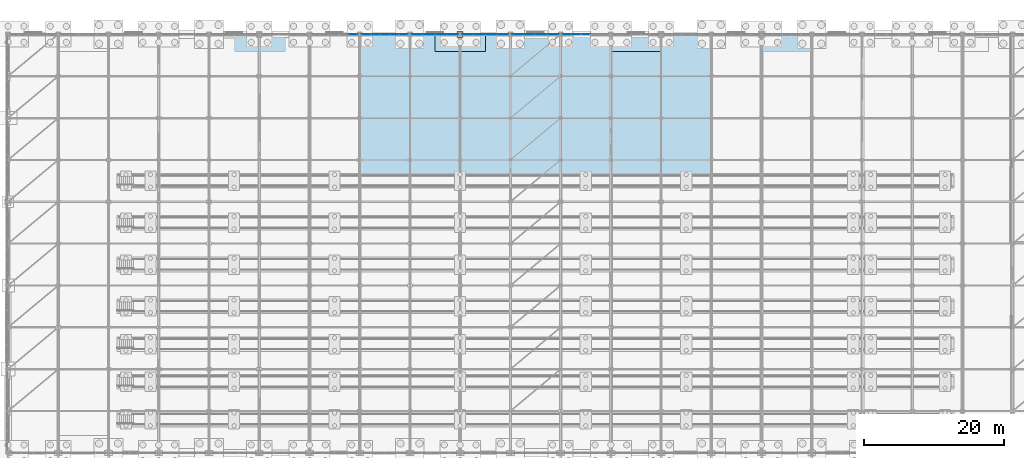
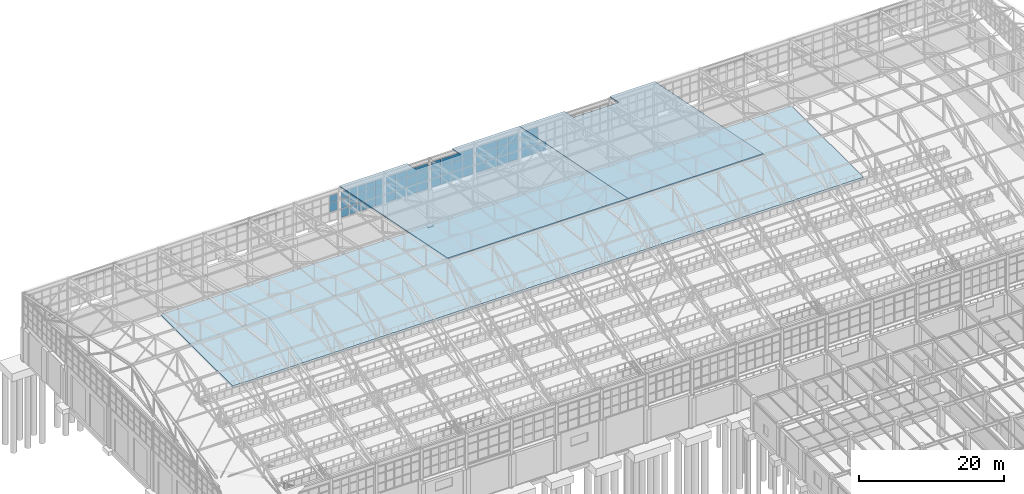
# One storey, part 251 of 293: 61 plates, 3 slabs, 6 elements without a shape of their own.
"""IFC4 building model written with IfcOpenShell, lengths in metres."""

from ifc_helpers import new_model, si_unit, direction, frame, origin, origin_2d, place, context, subcontext, project, spatial, polyline, rectangle, outline, extrude, material, layer, layer_set, type_object, element, aggregate, save


model = new_model("IFC4")

# Units and contexts
model_context = context("Model", 3, precision=1e-05, world=origin(), true_north=direction((0.0, 1.0)))
body_context = subcontext(model_context, "Body", "Model", "MODEL_VIEW")
ifc_project = project(units=[si_unit("LENGTHUNIT", "METRE"), si_unit("AREAUNIT", "SQUARE_METRE"), si_unit("VOLUMEUNIT", "CUBIC_METRE"), si_unit("PLANEANGLEUNIT", "RADIAN"), si_unit("MASSUNIT", "GRAM", prefix="KILO")], contexts=[model_context])

# Site, building, storey
site_placement = place(None, origin())
site = spatial("IfcSite", under=ifc_project, at=site_placement, CompositionType="ELEMENT")
building_placement = place(site_placement, origin())
building = spatial("IfcBuilding", under=site, at=building_placement, Name="Kemerveld Promenade Tramway Depot", CompositionType="ELEMENT")
storey_placement = place(building_placement, origin())
storey = spatial("IfcBuildingStorey", under=building, at=storey_placement, Name="L00", CompositionType="ELEMENT", Elevation=0.0)

# Curtain wall, plates
ifc_material_1 = material(Name="Bronze anodised aluminium and solar glass", Category="aluminium")
ifc_layer_1 = layer(ifc_material_1, 0.159912109375)
ifc_layer_set_1 = layer_set([ifc_layer_1], Name="CW-SYS-09")
curtain_wall_type_1 = type_object("IfcCurtainWallType", Name="CW-SYS-09", PredefinedType="USERDEFINED", material=ifc_layer_set_1)
curtain_wall_1_placement = place(storey_placement, origin())
curtain_wall_1 = element("IfcCurtainWall", 1, at=curtain_wall_1_placement, inside=storey, type_object=curtain_wall_type_1, Name="CW-V1-N-09", ObjectType="GLAZED_CURTAIN_WALL", PredefinedType="USERDEFINED")
ifc_material_2 = material(Name="Solar-control laminated double glazing", Category="glass")
ifc_layer_2 = layer(ifc_material_2, 0.028076171875)
ifc_layer_set_2 = layer_set([ifc_layer_2], Name="CW-PNL-01")
plate_type_1 = type_object("IfcPlateType", Name="CW-PNL-01", PredefinedType="CURTAIN_PANEL", material=ifc_layer_set_2)
plate_1_placement = place(storey_placement, frame((94.68359375, 144.0, 6.259765625), z_axis=(0.0, 0.0, 1.0), x_axis=(1.0, 0.0, 0.0)))
plate_1 = element("IfcPlate", 2, at=plate_1_placement, type_object=plate_type_1, Name="CW09 panel 1.1", PredefinedType="CURTAIN_PANEL", context=body_context, shape_type="SweptSolid", body=[
    extrude(rectangle(XDim=1.5908203125, YDim=0.028076171875, at=origin_2d()), origin(), (0.0, 0.0, 1.0), 1.468017578125),
])
plate_2_placement = place(storey_placement, frame((94.68359375, 144.0, 7.7880859375), z_axis=(0.0, 0.0, 1.0), x_axis=(1.0, 0.0, 0.0)))
plate_2 = element("IfcPlate", 3, at=plate_2_placement, type_object=plate_type_1, Name="CW09 panel 1.2", PredefinedType="CURTAIN_PANEL", context=body_context, shape_type="SweptSolid", body=[
    extrude(rectangle(XDim=1.5908203125, YDim=0.028076171875, at=origin_2d()), origin(), (0.0, 0.0, 1.0), 1.5859375),
])
plate_3_placement = place(storey_placement, frame((94.68359375, 144.0, 9.43408203125), z_axis=(0.0, 0.0, 1.0), x_axis=(1.0, 0.0, 0.0)))
plate_3 = element("IfcPlate", 4, at=plate_3_placement, type_object=plate_type_1, Name="CW09 panel 1.3", PredefinedType="CURTAIN_PANEL", context=body_context, shape_type="SweptSolid", body=[
    extrude(rectangle(XDim=1.5908203125, YDim=0.028076171875, at=origin_2d()), origin(), (0.0, 0.0, 1.0), 1.156005859375),
])
plate_4_placement = place(storey_placement, frame((96.355712890625, 144.0, 6.259765625), z_axis=(0.0, 0.0, 1.0), x_axis=(1.0, 0.0, 0.0)))
plate_4 = element("IfcPlate", 5, at=plate_4_placement, type_object=plate_type_1, Name="CW09 panel 2.1", PredefinedType="CURTAIN_PANEL", context=body_context, shape_type="SweptSolid", body=[
    extrude(rectangle(XDim=1.623291015625, YDim=0.028076171875, at=origin_2d()), origin(), (0.0, 0.0, 1.0), 1.468017578125),
])
plate_5_placement = place(storey_placement, frame((96.355712890625, 144.0, 7.7880859375), z_axis=(0.0, 0.0, 1.0), x_axis=(1.0, 0.0, 0.0)))
plate_5 = element("IfcPlate", 6, at=plate_5_placement, type_object=plate_type_1, Name="CW09 panel 2.2", PredefinedType="CURTAIN_PANEL", context=body_context, shape_type="SweptSolid", body=[
    extrude(rectangle(XDim=1.623291015625, YDim=0.028076171875, at=origin_2d()), origin(), (0.0, 0.0, 1.0), 1.5859375),
])
plate_6_placement = place(storey_placement, frame((96.355712890625, 144.0, 9.43408203125), z_axis=(0.0, 0.0, 1.0), x_axis=(1.0, 0.0, 0.0)))
plate_6 = element("IfcPlate", 7, at=plate_6_placement, type_object=plate_type_1, Name="CW09 panel 2.3", PredefinedType="CURTAIN_PANEL", context=body_context, shape_type="SweptSolid", body=[
    extrude(rectangle(XDim=1.623291015625, YDim=0.028076171875, at=origin_2d()), origin(), (0.0, 0.0, 1.0), 1.156005859375),
])
plate_7_placement = place(storey_placement, frame((98.044189453125, 144.0, 6.259765625), z_axis=(0.0, 0.0, 1.0), x_axis=(1.0, 0.0, 0.0)))
plate_7 = element("IfcPlate", 8, at=plate_7_placement, type_object=plate_type_1, Name="CW09 panel 3.1", PredefinedType="CURTAIN_PANEL", context=body_context, shape_type="SweptSolid", body=[
    extrude(rectangle(XDim=1.623291015625, YDim=0.028076171875, at=origin_2d()), origin(), (0.0, 0.0, 1.0), 1.468017578125),
])
plate_8_placement = place(storey_placement, frame((98.044189453125, 144.0, 7.7880859375), z_axis=(0.0, 0.0, 1.0), x_axis=(1.0, 0.0, 0.0)))
plate_8 = element("IfcPlate", 9, at=plate_8_placement, type_object=plate_type_1, Name="CW09 panel 3.2", PredefinedType="CURTAIN_PANEL", context=body_context, shape_type="SweptSolid", body=[
    extrude(rectangle(XDim=1.623291015625, YDim=0.028076171875, at=origin_2d()), origin(), (0.0, 0.0, 1.0), 1.5859375),
])
plate_9_placement = place(storey_placement, frame((98.044189453125, 144.0, 9.43408203125), z_axis=(0.0, 0.0, 1.0), x_axis=(1.0, 0.0, 0.0)))
plate_9 = element("IfcPlate", 10, at=plate_9_placement, type_object=plate_type_1, Name="CW09 panel 3.3", PredefinedType="CURTAIN_PANEL", context=body_context, shape_type="SweptSolid", body=[
    extrude(rectangle(XDim=1.623291015625, YDim=0.028076171875, at=origin_2d()), origin(), (0.0, 0.0, 1.0), 1.156005859375),
])
plate_10_placement = place(storey_placement, frame((99.71630859375, 144.0, 6.259765625), z_axis=(0.0, 0.0, 1.0), x_axis=(1.0, 0.0, 0.0)))
plate_10 = element("IfcPlate", 11, at=plate_10_placement, type_object=plate_type_1, Name="CW09 panel 4.1", PredefinedType="CURTAIN_PANEL", context=body_context, shape_type="SweptSolid", body=[
    extrude(rectangle(XDim=1.5908203125, YDim=0.028076171875, at=origin_2d()), origin(), (0.0, 0.0, 1.0), 1.468017578125),
])
plate_11_placement = place(storey_placement, frame((99.71630859375, 144.0, 7.7880859375), z_axis=(0.0, 0.0, 1.0), x_axis=(1.0, 0.0, 0.0)))
plate_11 = element("IfcPlate", 12, at=plate_11_placement, type_object=plate_type_1, Name="CW09 panel 4.2", PredefinedType="CURTAIN_PANEL", context=body_context, shape_type="SweptSolid", body=[
    extrude(rectangle(XDim=1.5908203125, YDim=0.028076171875, at=origin_2d()), origin(), (0.0, 0.0, 1.0), 1.5859375),
])
plate_12_placement = place(storey_placement, frame((99.71630859375, 144.0, 9.43408203125), z_axis=(0.0, 0.0, 1.0), x_axis=(1.0, 0.0, 0.0)))
plate_12 = element("IfcPlate", 13, at=plate_12_placement, type_object=plate_type_1, Name="CW09 panel 4.3", PredefinedType="CURTAIN_PANEL", context=body_context, shape_type="SweptSolid", body=[
    extrude(rectangle(XDim=1.5908203125, YDim=0.028076171875, at=origin_2d()), origin(), (0.0, 0.0, 1.0), 1.156005859375),
])
aggregate(curtain_wall_1, [plate_1, plate_2, plate_3, plate_4, plate_5, plate_6, plate_7, plate_8, plate_9, plate_10, plate_11, plate_12])

ifc_layer_3 = layer(ifc_material_1, 0.199951171875)
ifc_layer_set_3 = layer_set([ifc_layer_3], Name="CW-SYS-10")
curtain_wall_type_2 = type_object("IfcCurtainWallType", Name="CW-SYS-10", PredefinedType="USERDEFINED", material=ifc_layer_set_3)
curtain_wall_2_placement = place(storey_placement, origin())
curtain_wall_2 = element("IfcCurtainWall", 14, at=curtain_wall_2_placement, inside=storey, type_object=curtain_wall_type_2, Name="CW-V1-N-10", ObjectType="GLAZED_CURTAIN_WALL", PredefinedType="USERDEFINED")
ifc_layer_4 = layer(ifc_material_2, 0.028076171875)
ifc_layer_set_4 = layer_set([ifc_layer_4], Name="CW-PNL-02")
plate_type_2 = type_object("IfcPlateType", Name="CW-PNL-02", PredefinedType="CURTAIN_PANEL", material=ifc_layer_set_4)
plate_13_placement = place(storey_placement, frame((101.88623046875, 144.0, 6.26513671875), z_axis=(0.0, 0.0, 1.0), x_axis=(1.0, 0.0, 0.0)))
plate_13 = element("IfcPlate", 15, at=plate_13_placement, type_object=plate_type_2, Name="CW10 panel 1.1", PredefinedType="CURTAIN_PANEL", context=body_context, shape_type="SweptSolid", body=[
    extrude(rectangle(XDim=1.575927734375, YDim=0.028076171875, at=origin_2d()), origin(), (0.0, 0.0, 1.0), 1.46044921875),
])
plate_14_placement = place(storey_placement, frame((101.88623046875, 144.0, 7.79052734375), z_axis=(0.0, 0.0, 1.0), x_axis=(1.0, 0.0, 0.0)))
plate_14 = element("IfcPlate", 16, at=plate_14_placement, type_object=plate_type_2, Name="CW10 panel 1.2", PredefinedType="CURTAIN_PANEL", context=body_context, shape_type="SweptSolid", body=[
    extrude(rectangle(XDim=1.575927734375, YDim=0.028076171875, at=origin_2d()), origin(), (0.0, 0.0, 1.0), 1.5810546875),
])
plate_15_placement = place(storey_placement, frame((101.88623046875, 144.0, 9.4365234375), z_axis=(0.0, 0.0, 1.0), x_axis=(1.0, 0.0, 0.0)))
plate_15 = element("IfcPlate", 17, at=plate_15_placement, type_object=plate_type_2, Name="CW10 panel 1.3", PredefinedType="CURTAIN_PANEL", context=body_context, shape_type="SweptSolid", body=[
    extrude(rectangle(XDim=1.575927734375, YDim=0.028076171875, at=origin_2d()), origin(), (0.0, 0.0, 1.0), 1.1484375),
])
plate_16_placement = place(storey_placement, frame((103.555908203125, 144.0, 6.26513671875), z_axis=(0.0, 0.0, 1.0), x_axis=(1.0, 0.0, 0.0)))
plate_16 = element("IfcPlate", 18, at=plate_16_placement, type_object=plate_type_2, Name="CW10 panel 2.1", PredefinedType="CURTAIN_PANEL", context=body_context, shape_type="SweptSolid", body=[
    extrude(rectangle(XDim=1.61328125, YDim=0.028076171875, at=origin_2d()), origin(), (0.0, 0.0, 1.0), 1.46044921875),
])
plate_17_placement = place(storey_placement, frame((103.555908203125, 144.0, 7.79052734375), z_axis=(0.0, 0.0, 1.0), x_axis=(1.0, 0.0, 0.0)))
plate_17 = element("IfcPlate", 19, at=plate_17_placement, type_object=plate_type_2, Name="CW10 panel 2.2", PredefinedType="CURTAIN_PANEL", context=body_context, shape_type="SweptSolid", body=[
    extrude(rectangle(XDim=1.61328125, YDim=0.028076171875, at=origin_2d()), origin(), (0.0, 0.0, 1.0), 1.5810546875),
])
plate_18_placement = place(storey_placement, frame((103.555908203125, 144.0, 9.4365234375), z_axis=(0.0, 0.0, 1.0), x_axis=(1.0, 0.0, 0.0)))
plate_18 = element("IfcPlate", 20, at=plate_18_placement, type_object=plate_type_2, Name="CW10 panel 2.3", PredefinedType="CURTAIN_PANEL", context=body_context, shape_type="SweptSolid", body=[
    extrude(rectangle(XDim=1.61328125, YDim=0.028076171875, at=origin_2d()), origin(), (0.0, 0.0, 1.0), 1.1484375),
])
plate_19_placement = place(storey_placement, frame((105.244140625, 144.0, 6.26513671875), z_axis=(0.0, 0.0, 1.0), x_axis=(1.0, 0.0, 0.0)))
plate_19 = element("IfcPlate", 21, at=plate_19_placement, type_object=plate_type_2, Name="CW10 panel 3.1", PredefinedType="CURTAIN_PANEL", context=body_context, shape_type="SweptSolid", body=[
    extrude(rectangle(XDim=1.61328125, YDim=0.028076171875, at=origin_2d()), origin(), (0.0, 0.0, 1.0), 1.46044921875),
])
plate_20_placement = place(storey_placement, frame((105.244140625, 144.0, 7.79052734375), z_axis=(0.0, 0.0, 1.0), x_axis=(1.0, 0.0, 0.0)))
plate_20 = element("IfcPlate", 22, at=plate_20_placement, type_object=plate_type_2, Name="CW10 panel 3.2", PredefinedType="CURTAIN_PANEL", context=body_context, shape_type="SweptSolid", body=[
    extrude(rectangle(XDim=1.61328125, YDim=0.028076171875, at=origin_2d()), origin(), (0.0, 0.0, 1.0), 1.5810546875),
])
plate_21_placement = place(storey_placement, frame((105.244140625, 144.0, 9.4365234375), z_axis=(0.0, 0.0, 1.0), x_axis=(1.0, 0.0, 0.0)))
plate_21 = element("IfcPlate", 23, at=plate_21_placement, type_object=plate_type_2, Name="CW10 panel 3.3", PredefinedType="CURTAIN_PANEL", context=body_context, shape_type="SweptSolid", body=[
    extrude(rectangle(XDim=1.61328125, YDim=0.028076171875, at=origin_2d()), origin(), (0.0, 0.0, 1.0), 1.1484375),
])
plate_22_placement = place(storey_placement, frame((106.913818359375, 144.0, 6.26513671875), z_axis=(0.0, 0.0, 1.0), x_axis=(1.0, 0.0, 0.0)))
plate_22 = element("IfcPlate", 24, at=plate_22_placement, type_object=plate_type_2, Name="CW10 panel 4.1", PredefinedType="CURTAIN_PANEL", context=body_context, shape_type="SweptSolid", body=[
    extrude(rectangle(XDim=1.575927734375, YDim=0.028076171875, at=origin_2d()), origin(), (0.0, 0.0, 1.0), 1.46044921875),
])
plate_23_placement = place(storey_placement, frame((106.913818359375, 144.0, 7.79052734375), z_axis=(0.0, 0.0, 1.0), x_axis=(1.0, 0.0, 0.0)))
plate_23 = element("IfcPlate", 25, at=plate_23_placement, type_object=plate_type_2, Name="CW10 panel 4.2", PredefinedType="CURTAIN_PANEL", context=body_context, shape_type="SweptSolid", body=[
    extrude(rectangle(XDim=1.575927734375, YDim=0.028076171875, at=origin_2d()), origin(), (0.0, 0.0, 1.0), 1.5810546875),
])
plate_24_placement = place(storey_placement, frame((106.913818359375, 144.0, 9.4365234375), z_axis=(0.0, 0.0, 1.0), x_axis=(1.0, 0.0, 0.0)))
plate_24 = element("IfcPlate", 26, at=plate_24_placement, type_object=plate_type_2, Name="CW10 panel 4.3", PredefinedType="CURTAIN_PANEL", context=body_context, shape_type="SweptSolid", body=[
    extrude(rectangle(XDim=1.575927734375, YDim=0.028076171875, at=origin_2d()), origin(), (0.0, 0.0, 1.0), 1.1484375),
])
aggregate(curtain_wall_2, [plate_13, plate_14, plate_15, plate_16, plate_17, plate_18, plate_19, plate_20, plate_21, plate_22, plate_23, plate_24])

ifc_layer_5 = layer(ifc_material_1, 0.159912109375)
ifc_layer_set_5 = layer_set([ifc_layer_5], Name="CW-SYS-11")
curtain_wall_type_3 = type_object("IfcCurtainWallType", Name="CW-SYS-11", PredefinedType="USERDEFINED", material=ifc_layer_set_5)
curtain_wall_3_placement = place(storey_placement, origin())
curtain_wall_3 = element("IfcCurtainWall", 27, at=curtain_wall_3_placement, inside=storey, type_object=curtain_wall_type_3, Name="CW-V1-N-11", ObjectType="GLAZED_CURTAIN_WALL", PredefinedType="USERDEFINED")
ifc_layer_6 = layer(ifc_material_2, 0.028076171875)
ifc_layer_set_6 = layer_set([ifc_layer_6], Name="CW-PNL-03")
plate_type_3 = type_object("IfcPlateType", Name="CW-PNL-03", PredefinedType="CURTAIN_PANEL", material=ifc_layer_set_6)
plate_25_placement = place(storey_placement, frame((109.083740234375, 144.0, 6.259765625), z_axis=(0.0, 0.0, 1.0), x_axis=(1.0, 0.0, 0.0)))
plate_25 = element("IfcPlate", 28, at=plate_25_placement, type_object=plate_type_3, Name="CW11 panel 1.1", PredefinedType="CURTAIN_PANEL", context=body_context, shape_type="SweptSolid", body=[
    extrude(rectangle(XDim=1.5908203125, YDim=0.028076171875, at=origin_2d()), origin(), (0.0, 0.0, 1.0), 1.468017578125),
])
plate_26_placement = place(storey_placement, frame((109.083740234375, 144.0, 7.7880859375), z_axis=(0.0, 0.0, 1.0), x_axis=(1.0, 0.0, 0.0)))
plate_26 = element("IfcPlate", 29, at=plate_26_placement, type_object=plate_type_3, Name="CW11 panel 1.2", PredefinedType="CURTAIN_PANEL", context=body_context, shape_type="SweptSolid", body=[
    extrude(rectangle(XDim=1.5908203125, YDim=0.028076171875, at=origin_2d()), origin(), (0.0, 0.0, 1.0), 1.5859375),
])
plate_27_placement = place(storey_placement, frame((109.083740234375, 144.0, 9.43408203125), z_axis=(0.0, 0.0, 1.0), x_axis=(1.0, 0.0, 0.0)))
plate_27 = element("IfcPlate", 30, at=plate_27_placement, type_object=plate_type_3, Name="CW11 panel 1.3", PredefinedType="CURTAIN_PANEL", context=body_context, shape_type="SweptSolid", body=[
    extrude(rectangle(XDim=1.5908203125, YDim=0.028076171875, at=origin_2d()), origin(), (0.0, 0.0, 1.0), 1.156005859375),
])
plate_28_placement = place(storey_placement, frame((110.755859375, 144.0, 6.259765625), z_axis=(0.0, 0.0, 1.0), x_axis=(1.0, 0.0, 0.0)))
plate_28 = element("IfcPlate", 31, at=plate_28_placement, type_object=plate_type_3, Name="CW11 panel 2.1", PredefinedType="CURTAIN_PANEL", context=body_context, shape_type="SweptSolid", body=[
    extrude(rectangle(XDim=1.623291015625, YDim=0.028076171875, at=origin_2d()), origin(), (0.0, 0.0, 1.0), 1.468017578125),
])
plate_29_placement = place(storey_placement, frame((110.755859375, 144.0, 7.7880859375), z_axis=(0.0, 0.0, 1.0), x_axis=(1.0, 0.0, 0.0)))
plate_29 = element("IfcPlate", 32, at=plate_29_placement, type_object=plate_type_3, Name="CW11 panel 2.2", PredefinedType="CURTAIN_PANEL", context=body_context, shape_type="SweptSolid", body=[
    extrude(rectangle(XDim=1.623291015625, YDim=0.028076171875, at=origin_2d()), origin(), (0.0, 0.0, 1.0), 1.5859375),
])
plate_30_placement = place(storey_placement, frame((110.755859375, 144.0, 9.43408203125), z_axis=(0.0, 0.0, 1.0), x_axis=(1.0, 0.0, 0.0)))
plate_30 = element("IfcPlate", 33, at=plate_30_placement, type_object=plate_type_3, Name="CW11 panel 2.3", PredefinedType="CURTAIN_PANEL", context=body_context, shape_type="SweptSolid", body=[
    extrude(rectangle(XDim=1.623291015625, YDim=0.028076171875, at=origin_2d()), origin(), (0.0, 0.0, 1.0), 1.156005859375),
])
plate_31_placement = place(storey_placement, frame((112.444091796875, 144.0, 6.259765625), z_axis=(0.0, 0.0, 1.0), x_axis=(1.0, 0.0, 0.0)))
plate_31 = element("IfcPlate", 34, at=plate_31_placement, type_object=plate_type_3, Name="CW11 panel 3.1", PredefinedType="CURTAIN_PANEL", context=body_context, shape_type="SweptSolid", body=[
    extrude(rectangle(XDim=1.623291015625, YDim=0.028076171875, at=origin_2d()), origin(), (0.0, 0.0, 1.0), 1.468017578125),
])
plate_32_placement = place(storey_placement, frame((112.444091796875, 144.0, 7.7880859375), z_axis=(0.0, 0.0, 1.0), x_axis=(1.0, 0.0, 0.0)))
plate_32 = element("IfcPlate", 35, at=plate_32_placement, type_object=plate_type_3, Name="CW11 panel 3.2", PredefinedType="CURTAIN_PANEL", context=body_context, shape_type="SweptSolid", body=[
    extrude(rectangle(XDim=1.623291015625, YDim=0.028076171875, at=origin_2d()), origin(), (0.0, 0.0, 1.0), 1.5859375),
])
plate_33_placement = place(storey_placement, frame((112.444091796875, 144.0, 9.43408203125), z_axis=(0.0, 0.0, 1.0), x_axis=(1.0, 0.0, 0.0)))
plate_33 = element("IfcPlate", 36, at=plate_33_placement, type_object=plate_type_3, Name="CW11 panel 3.3", PredefinedType="CURTAIN_PANEL", context=body_context, shape_type="SweptSolid", body=[
    extrude(rectangle(XDim=1.623291015625, YDim=0.028076171875, at=origin_2d()), origin(), (0.0, 0.0, 1.0), 1.156005859375),
])
plate_34_placement = place(storey_placement, frame((114.116455078125, 144.0, 6.259765625), z_axis=(0.0, 0.0, 1.0), x_axis=(1.0, 0.0, 0.0)))
plate_34 = element("IfcPlate", 37, at=plate_34_placement, type_object=plate_type_3, Name="CW11 panel 4.1", PredefinedType="CURTAIN_PANEL", context=body_context, shape_type="SweptSolid", body=[
    extrude(rectangle(XDim=1.5908203125, YDim=0.028076171875, at=origin_2d()), origin(), (0.0, 0.0, 1.0), 1.468017578125),
])
plate_35_placement = place(storey_placement, frame((114.116455078125, 144.0, 7.7880859375), z_axis=(0.0, 0.0, 1.0), x_axis=(1.0, 0.0, 0.0)))
plate_35 = element("IfcPlate", 38, at=plate_35_placement, type_object=plate_type_3, Name="CW11 panel 4.2", PredefinedType="CURTAIN_PANEL", context=body_context, shape_type="SweptSolid", body=[
    extrude(rectangle(XDim=1.5908203125, YDim=0.028076171875, at=origin_2d()), origin(), (0.0, 0.0, 1.0), 1.5859375),
])
plate_36_placement = place(storey_placement, frame((114.116455078125, 144.0, 9.43408203125), z_axis=(0.0, 0.0, 1.0), x_axis=(1.0, 0.0, 0.0)))
plate_36 = element("IfcPlate", 39, at=plate_36_placement, type_object=plate_type_3, Name="CW11 panel 4.3", PredefinedType="CURTAIN_PANEL", context=body_context, shape_type="SweptSolid", body=[
    extrude(rectangle(XDim=1.5908203125, YDim=0.028076171875, at=origin_2d()), origin(), (0.0, 0.0, 1.0), 1.156005859375),
])
aggregate(curtain_wall_3, [plate_25, plate_26, plate_27, plate_28, plate_29, plate_30, plate_31, plate_32, plate_33, plate_34, plate_35, plate_36])

ifc_layer_7 = layer(ifc_material_1, 0.199951171875)
ifc_layer_set_7 = layer_set([ifc_layer_7], Name="CW-SYS-12")
curtain_wall_type_4 = type_object("IfcCurtainWallType", Name="CW-SYS-12", PredefinedType="USERDEFINED", material=ifc_layer_set_7)
curtain_wall_4_placement = place(storey_placement, origin())
curtain_wall_4 = element("IfcCurtainWall", 40, at=curtain_wall_4_placement, inside=storey, type_object=curtain_wall_type_4, Name="CW-V1-N-12", ObjectType="GLAZED_CURTAIN_WALL", PredefinedType="USERDEFINED")
ifc_layer_8 = layer(ifc_material_2, 0.031982421875)
ifc_layer_set_8 = layer_set([ifc_layer_8], Name="CW-PNL-04")
plate_type_4 = type_object("IfcPlateType", Name="CW-PNL-04", PredefinedType="CURTAIN_PANEL", material=ifc_layer_set_8)
plate_37_placement = place(storey_placement, frame((116.117431640625, 144.0, 6.26513671875), z_axis=(0.0, 0.0, 1.0), x_axis=(1.0, 0.0, 0.0)))
plate_37 = element("IfcPlate", 41, at=plate_37_placement, type_object=plate_type_4, Name="CW12 panel 1.1", PredefinedType="CURTAIN_PANEL", context=body_context, shape_type="SweptSolid", body=[
    extrude(rectangle(XDim=1.23828125, YDim=0.031982421875, at=origin_2d()), origin(), (0.0, 0.0, 1.0), 1.46044921875),
])
plate_38_placement = place(storey_placement, frame((116.117431640625, 144.0, 7.79052734375), z_axis=(0.0, 0.0, 1.0), x_axis=(1.0, 0.0, 0.0)))
plate_38 = element("IfcPlate", 42, at=plate_38_placement, type_object=plate_type_4, Name="CW12 panel 1.2", PredefinedType="CURTAIN_PANEL", context=body_context, shape_type="SweptSolid", body=[
    extrude(rectangle(XDim=1.23828125, YDim=0.031982421875, at=origin_2d()), origin(), (0.0, 0.0, 1.0), 1.5810546875),
])
plate_39_placement = place(storey_placement, frame((116.117431640625, 144.0, 9.4365234375), z_axis=(0.0, 0.0, 1.0), x_axis=(1.0, 0.0, 0.0)))
plate_39 = element("IfcPlate", 43, at=plate_39_placement, type_object=plate_type_4, Name="CW12 panel 1.3", PredefinedType="CURTAIN_PANEL", context=body_context, shape_type="SweptSolid", body=[
    extrude(rectangle(XDim=1.23828125, YDim=0.031982421875, at=origin_2d()), origin(), (0.0, 0.0, 1.0), 1.1484375),
])
plate_40_placement = place(storey_placement, frame((117.44921875, 144.0, 6.26513671875), z_axis=(0.0, 0.0, 1.0), x_axis=(1.0, 0.0, 0.0)))
plate_40 = element("IfcPlate", 44, at=plate_40_placement, type_object=plate_type_4, Name="CW12 panel 2.1", PredefinedType="CURTAIN_PANEL", context=body_context, shape_type="SweptSolid", body=[
    extrude(rectangle(XDim=1.275634765625, YDim=0.031982421875, at=origin_2d()), origin(), (0.0, 0.0, 1.0), 1.46044921875),
])
plate_41_placement = place(storey_placement, frame((117.44921875, 144.0, 7.79052734375), z_axis=(0.0, 0.0, 1.0), x_axis=(1.0, 0.0, 0.0)))
plate_41 = element("IfcPlate", 45, at=plate_41_placement, type_object=plate_type_4, Name="CW12 panel 2.2", PredefinedType="CURTAIN_PANEL", context=body_context, shape_type="SweptSolid", body=[
    extrude(rectangle(XDim=1.275634765625, YDim=0.031982421875, at=origin_2d()), origin(), (0.0, 0.0, 1.0), 1.5810546875),
])
plate_42_placement = place(storey_placement, frame((117.44921875, 144.0, 9.4365234375), z_axis=(0.0, 0.0, 1.0), x_axis=(1.0, 0.0, 0.0)))
plate_42 = element("IfcPlate", 46, at=plate_42_placement, type_object=plate_type_4, Name="CW12 panel 2.3", PredefinedType="CURTAIN_PANEL", context=body_context, shape_type="SweptSolid", body=[
    extrude(rectangle(XDim=1.275634765625, YDim=0.031982421875, at=origin_2d()), origin(), (0.0, 0.0, 1.0), 1.1484375),
])
plate_43_placement = place(storey_placement, frame((118.800048828125, 144.0, 6.26513671875), z_axis=(0.0, 0.0, 1.0), x_axis=(1.0, 0.0, 0.0)))
plate_43 = element("IfcPlate", 47, at=plate_43_placement, type_object=plate_type_4, Name="CW12 panel 3.1", PredefinedType="CURTAIN_PANEL", context=body_context, shape_type="SweptSolid", body=[
    extrude(rectangle(XDim=1.275634765625, YDim=0.031982421875, at=origin_2d()), origin(), (0.0, 0.0, 1.0), 1.46044921875),
])
aggregate(curtain_wall_4, [plate_37, plate_38, plate_39, plate_40, plate_41, plate_42, plate_43])

ifc_layer_9 = layer(ifc_material_1, 0.159912109375)
ifc_layer_set_9 = layer_set([ifc_layer_9], Name="CW-SYS-07")
curtain_wall_type_5 = type_object("IfcCurtainWallType", Name="CW-SYS-07", PredefinedType="USERDEFINED", material=ifc_layer_set_9)
curtain_wall_5_placement = place(storey_placement, origin())
curtain_wall_5 = element("IfcCurtainWall", 48, at=curtain_wall_5_placement, inside=storey, type_object=curtain_wall_type_5, Name="CW-V1-N-07", ObjectType="GLAZED_CURTAIN_WALL", PredefinedType="USERDEFINED")
ifc_layer_10 = layer(ifc_material_2, 0.030029296875)
ifc_layer_set_10 = layer_set([ifc_layer_10], Name="CW-PNL-07")
plate_type_5 = type_object("IfcPlateType", Name="CW-PNL-07", PredefinedType="CURTAIN_PANEL", material=ifc_layer_set_10)
plate_44_placement = place(storey_placement, frame((85.485107421875, 144.0, 7.7880859375), z_axis=(0.0, 0.0, 1.0), x_axis=(1.0, 0.0, 0.0)))
plate_44 = element("IfcPlate", 49, at=plate_44_placement, type_object=plate_type_5, Name="CW07 panel 5.2", PredefinedType="CURTAIN_PANEL", context=body_context, shape_type="SweptSolid", body=[
    extrude(rectangle(XDim=1.253173828125, YDim=0.030029296875, at=origin_2d()), origin(), (0.0, 0.0, 1.0), 1.5859375),
])
plate_45_placement = place(storey_placement, frame((85.485107421875, 144.0, 9.43408203125), z_axis=(0.0, 0.0, 1.0), x_axis=(1.0, 0.0, 0.0)))
plate_45 = element("IfcPlate", 50, at=plate_45_placement, type_object=plate_type_5, Name="CW07 panel 5.3", PredefinedType="CURTAIN_PANEL", context=body_context, shape_type="SweptSolid", body=[
    extrude(rectangle(XDim=1.253173828125, YDim=0.030029296875, at=origin_2d()), origin(), (0.0, 0.0, 1.0), 1.156005859375),
])
aggregate(curtain_wall_5, [plate_44, plate_45])

ifc_layer_11 = layer(ifc_material_1, 0.199951171875)
ifc_layer_set_11 = layer_set([ifc_layer_11], Name="CW-SYS-08")
curtain_wall_type_6 = type_object("IfcCurtainWallType", Name="CW-SYS-08", PredefinedType="USERDEFINED", material=ifc_layer_set_11)
curtain_wall_6_placement = place(storey_placement, origin())
curtain_wall_6 = element("IfcCurtainWall", 51, at=curtain_wall_6_placement, inside=storey, type_object=curtain_wall_type_6, Name="CW-V1-N-08", ObjectType="GLAZED_CURTAIN_WALL", PredefinedType="USERDEFINED")
ifc_layer_12 = layer(ifc_material_2, 0.028076171875)
ifc_layer_set_12 = layer_set([ifc_layer_12], Name="CW-PNL-08")
plate_type_6 = type_object("IfcPlateType", Name="CW-PNL-08", PredefinedType="CURTAIN_PANEL", material=ifc_layer_set_12)
plate_46_placement = place(storey_placement, frame((87.3173828125, 144.0, 6.26513671875), z_axis=(0.0, 0.0, 1.0), x_axis=(1.0, 0.0, 0.0)))
plate_46 = element("IfcPlate", 52, at=plate_46_placement, type_object=plate_type_6, Name="CW08 panel 1.1", PredefinedType="CURTAIN_PANEL", context=body_context, shape_type="SweptSolid", body=[
    extrude(rectangle(XDim=1.23828125, YDim=0.028076171875, at=origin_2d()), origin(), (0.0, 0.0, 1.0), 1.46044921875),
])
plate_47_placement = place(storey_placement, frame((87.3173828125, 144.0, 7.79052734375), z_axis=(0.0, 0.0, 1.0), x_axis=(1.0, 0.0, 0.0)))
plate_47 = element("IfcPlate", 53, at=plate_47_placement, type_object=plate_type_6, Name="CW08 panel 1.2", PredefinedType="CURTAIN_PANEL", context=body_context, shape_type="SweptSolid", body=[
    extrude(rectangle(XDim=1.23828125, YDim=0.028076171875, at=origin_2d()), origin(), (0.0, 0.0, 1.0), 1.5810546875),
])
plate_48_placement = place(storey_placement, frame((87.3173828125, 144.0, 9.4365234375), z_axis=(0.0, 0.0, 1.0), x_axis=(1.0, 0.0, 0.0)))
plate_48 = element("IfcPlate", 54, at=plate_48_placement, type_object=plate_type_6, Name="CW08 panel 1.3", PredefinedType="CURTAIN_PANEL", context=body_context, shape_type="SweptSolid", body=[
    extrude(rectangle(XDim=1.23828125, YDim=0.028076171875, at=origin_2d()), origin(), (0.0, 0.0, 1.0), 1.1484375),
])
plate_49_placement = place(storey_placement, frame((88.649169921875, 144.0, 6.26513671875), z_axis=(0.0, 0.0, 1.0), x_axis=(1.0, 0.0, 0.0)))
plate_49 = element("IfcPlate", 55, at=plate_49_placement, type_object=plate_type_6, Name="CW08 panel 2.1", PredefinedType="CURTAIN_PANEL", context=body_context, shape_type="SweptSolid", body=[
    extrude(rectangle(XDim=1.275634765625, YDim=0.028076171875, at=origin_2d()), origin(), (0.0, 0.0, 1.0), 1.46044921875),
])
plate_50_placement = place(storey_placement, frame((88.649169921875, 144.0, 7.79052734375), z_axis=(0.0, 0.0, 1.0), x_axis=(1.0, 0.0, 0.0)))
plate_50 = element("IfcPlate", 56, at=plate_50_placement, type_object=plate_type_6, Name="CW08 panel 2.2", PredefinedType="CURTAIN_PANEL", context=body_context, shape_type="SweptSolid", body=[
    extrude(rectangle(XDim=1.275634765625, YDim=0.028076171875, at=origin_2d()), origin(), (0.0, 0.0, 1.0), 1.5810546875),
])
plate_51_placement = place(storey_placement, frame((88.649169921875, 144.0, 9.4365234375), z_axis=(0.0, 0.0, 1.0), x_axis=(1.0, 0.0, 0.0)))
plate_51 = element("IfcPlate", 57, at=plate_51_placement, type_object=plate_type_6, Name="CW08 panel 2.3", PredefinedType="CURTAIN_PANEL", context=body_context, shape_type="SweptSolid", body=[
    extrude(rectangle(XDim=1.275634765625, YDim=0.028076171875, at=origin_2d()), origin(), (0.0, 0.0, 1.0), 1.1484375),
])
plate_52_placement = place(storey_placement, frame((90.0, 144.0, 6.26513671875), z_axis=(0.0, 0.0, 1.0), x_axis=(1.0, 0.0, 0.0)))
plate_52 = element("IfcPlate", 58, at=plate_52_placement, type_object=plate_type_6, Name="CW08 panel 3.1", PredefinedType="CURTAIN_PANEL", context=body_context, shape_type="SweptSolid", body=[
    extrude(rectangle(XDim=1.275634765625, YDim=0.028076171875, at=origin_2d()), origin(), (0.0, 0.0, 1.0), 1.46044921875),
])
plate_53_placement = place(storey_placement, frame((90.0, 144.0, 7.79052734375), z_axis=(0.0, 0.0, 1.0), x_axis=(1.0, 0.0, 0.0)))
plate_53 = element("IfcPlate", 59, at=plate_53_placement, type_object=plate_type_6, Name="CW08 panel 3.2", PredefinedType="CURTAIN_PANEL", context=body_context, shape_type="SweptSolid", body=[
    extrude(rectangle(XDim=1.275634765625, YDim=0.028076171875, at=origin_2d()), origin(), (0.0, 0.0, 1.0), 1.5810546875),
])
plate_54_placement = place(storey_placement, frame((90.0, 144.0, 9.4365234375), z_axis=(0.0, 0.0, 1.0), x_axis=(1.0, 0.0, 0.0)))
plate_54 = element("IfcPlate", 60, at=plate_54_placement, type_object=plate_type_6, Name="CW08 panel 3.3", PredefinedType="CURTAIN_PANEL", context=body_context, shape_type="SweptSolid", body=[
    extrude(rectangle(XDim=1.275634765625, YDim=0.028076171875, at=origin_2d()), origin(), (0.0, 0.0, 1.0), 1.1484375),
])
plate_55_placement = place(storey_placement, frame((91.350830078125, 144.0, 6.26513671875), z_axis=(0.0, 0.0, 1.0), x_axis=(1.0, 0.0, 0.0)))
plate_55 = element("IfcPlate", 61, at=plate_55_placement, type_object=plate_type_6, Name="CW08 panel 4.1", PredefinedType="CURTAIN_PANEL", context=body_context, shape_type="SweptSolid", body=[
    extrude(rectangle(XDim=1.275634765625, YDim=0.028076171875, at=origin_2d()), origin(), (0.0, 0.0, 1.0), 1.46044921875),
])
plate_56_placement = place(storey_placement, frame((91.350830078125, 144.0, 7.79052734375), z_axis=(0.0, 0.0, 1.0), x_axis=(1.0, 0.0, 0.0)))
plate_56 = element("IfcPlate", 62, at=plate_56_placement, type_object=plate_type_6, Name="CW08 panel 4.2", PredefinedType="CURTAIN_PANEL", context=body_context, shape_type="SweptSolid", body=[
    extrude(rectangle(XDim=1.275634765625, YDim=0.028076171875, at=origin_2d()), origin(), (0.0, 0.0, 1.0), 1.5810546875),
])
plate_57_placement = place(storey_placement, frame((91.350830078125, 144.0, 9.4365234375), z_axis=(0.0, 0.0, 1.0), x_axis=(1.0, 0.0, 0.0)))
plate_57 = element("IfcPlate", 63, at=plate_57_placement, type_object=plate_type_6, Name="CW08 panel 4.3", PredefinedType="CURTAIN_PANEL", context=body_context, shape_type="SweptSolid", body=[
    extrude(rectangle(XDim=1.275634765625, YDim=0.028076171875, at=origin_2d()), origin(), (0.0, 0.0, 1.0), 1.1484375),
])
plate_58_placement = place(storey_placement, frame((92.6826171875, 144.0, 6.26513671875), z_axis=(0.0, 0.0, 1.0), x_axis=(1.0, 0.0, 0.0)))
plate_58 = element("IfcPlate", 64, at=plate_58_placement, type_object=plate_type_6, Name="CW08 panel 5.1", PredefinedType="CURTAIN_PANEL", context=body_context, shape_type="SweptSolid", body=[
    extrude(rectangle(XDim=1.23828125, YDim=0.028076171875, at=origin_2d()), origin(), (0.0, 0.0, 1.0), 1.46044921875),
])
plate_59_placement = place(storey_placement, frame((92.6826171875, 144.0, 7.79052734375), z_axis=(0.0, 0.0, 1.0), x_axis=(1.0, 0.0, 0.0)))
plate_59 = element("IfcPlate", 65, at=plate_59_placement, type_object=plate_type_6, Name="CW08 panel 5.2", PredefinedType="CURTAIN_PANEL", context=body_context, shape_type="SweptSolid", body=[
    extrude(rectangle(XDim=1.23828125, YDim=0.028076171875, at=origin_2d()), origin(), (0.0, 0.0, 1.0), 1.5810546875),
])
plate_60_placement = place(storey_placement, frame((92.6826171875, 144.0, 9.4365234375), z_axis=(0.0, 0.0, 1.0), x_axis=(1.0, 0.0, 0.0)))
plate_60 = element("IfcPlate", 66, at=plate_60_placement, type_object=plate_type_6, Name="CW08 panel 5.3", PredefinedType="CURTAIN_PANEL", context=body_context, shape_type="SweptSolid", body=[
    extrude(rectangle(XDim=1.23828125, YDim=0.028076171875, at=origin_2d()), origin(), (0.0, 0.0, 1.0), 1.1484375),
])
aggregate(curtain_wall_6, [plate_46, plate_47, plate_48, plate_49, plate_50, plate_51, plate_52, plate_53, plate_54, plate_55, plate_56, plate_57, plate_58, plate_59, plate_60])

# Plate
ifc_material_3 = material(Name="Steel S355", Category="steel")
ifc_layer_13 = layer(ifc_material_3, 0.0400390625)
ifc_layer_set_13 = layer_set([ifc_layer_13], Name="PL-BP02")
plate_type_7 = type_object("IfcPlateType", Name="PL-BP02", PredefinedType="USERDEFINED", material=ifc_layer_set_13)
plate_61_placement = place(storey_placement, frame((100.800048828125, 144.0, 0.0), z_axis=(0.0, 0.0, 1.0), x_axis=(1.0, 0.0, 0.0)))
element("IfcPlate", 67, at=plate_61_placement, inside=storey, type_object=plate_type_7, Name="BP-15-U", ObjectType="BASE_PLATE", PredefinedType="USERDEFINED", context=body_context, shape_type="SweptSolid", body=[
    extrude(rectangle(XDim=0.85009765625, YDim=0.85009765625, at=origin_2d()), origin(), (0.0, 0.0, 1.0), 0.0400390625),
])

# Slabs
ifc_material_4 = material(Name="Concrete C35/45", Category="concrete")
ifc_layer_14 = layer(ifc_material_4, 0.35009765625)
ifc_layer_set_14 = layer_set([ifc_layer_14], Name="SL-BS01")
slab_type_1 = type_object("IfcSlabType", Name="SL-BS01", PredefinedType="BASESLAB", material=ifc_layer_set_14)
slab_1_placement = place(storey_placement, frame((0.0, 0.0, -0.35009765625)))
element("IfcSlab", 68, at=slab_1_placement, inside=storey, type_object=slab_type_1, Name="SLB-L00-V1-8", PredefinedType="BASESLAB", context=body_context, shape_type="SweptSolid", body=[
    extrude(outline(polyline([(158.60009765625, 144.0), (158.60009765625, 124.050048828125), (57.860107421875, 124.050048828125), (57.860107421875, 144.0), (158.60009765625, 144.0)])), origin(), (0.0, 0.0, 1.0), 0.35009765625),
])
ifc_layer_15 = layer(ifc_material_4, 0.159912109375)
ifc_layer_set_15 = layer_set([ifc_layer_15], Name="SL-RF02")
slab_type_2 = type_object("IfcSlabType", Name="SL-RF02", PredefinedType="ROOF", material=ifc_layer_set_15)
slab_2_placement = place(storey_placement, frame((86.39990234375, 114.0, 17.719970703125), z_axis=(0.0, 0.196116135138, 0.980580675691), x_axis=(1.0, 0.0, 0.0)))
element("IfcSlab", 69, at=slab_2_placement, inside=storey, type_object=slab_type_2, Name="SLB-RF-V1N-S3", PredefinedType="ROOF", context=body_context, shape_type="SweptSolid", body=[
    extrude(outline(polyline([(0.0, 0.0), (28.800048828125, 0.0), (28.800048828125, 30.594117081556707), (18.0, 30.594117081556707), (18.0, 28.044607324760314), (10.800048828125, 28.044607324760314), (10.800048828125, 30.594117081556707), (0.0, 30.594117081556707), (0.0, 0.0)])), origin(), (0.0, 0.0, -1.0), 0.159912109375),
])
slab_3_placement = place(storey_placement, frame((115.199951171875, 114.0, 17.719970703125), z_axis=(0.0, 0.196116135138, 0.980580675691), x_axis=(1.0, 0.0, 0.0)))
element("IfcSlab", 70, at=slab_3_placement, inside=storey, type_object=slab_type_2, Name="SLB-RF-V1N-S4", PredefinedType="ROOF", context=body_context, shape_type="SweptSolid", body=[
    extrude(outline(polyline([(0.0, 0.0), (21.60009765625, 0.0), (21.60009765625, 30.59411708155671), (14.400146484375, 30.59411708155671), (14.400146484375, 28.044607324760317), (7.199951171875, 28.044607324760317), (7.199951171875, 30.59411708155671), (0.0, 30.59411708155671), (0.0, 0.0)])), origin(), (0.0, 0.0, -1.0), 0.159912109375),
])

save(model, "model.ifc")
